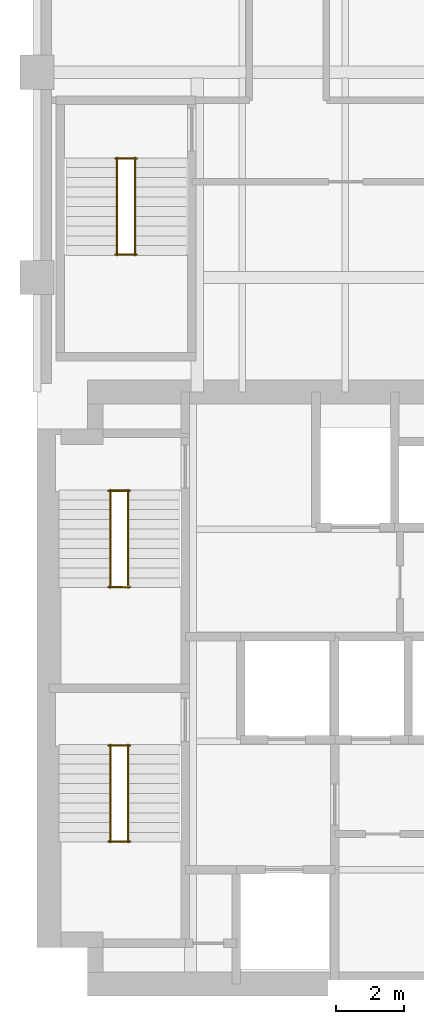
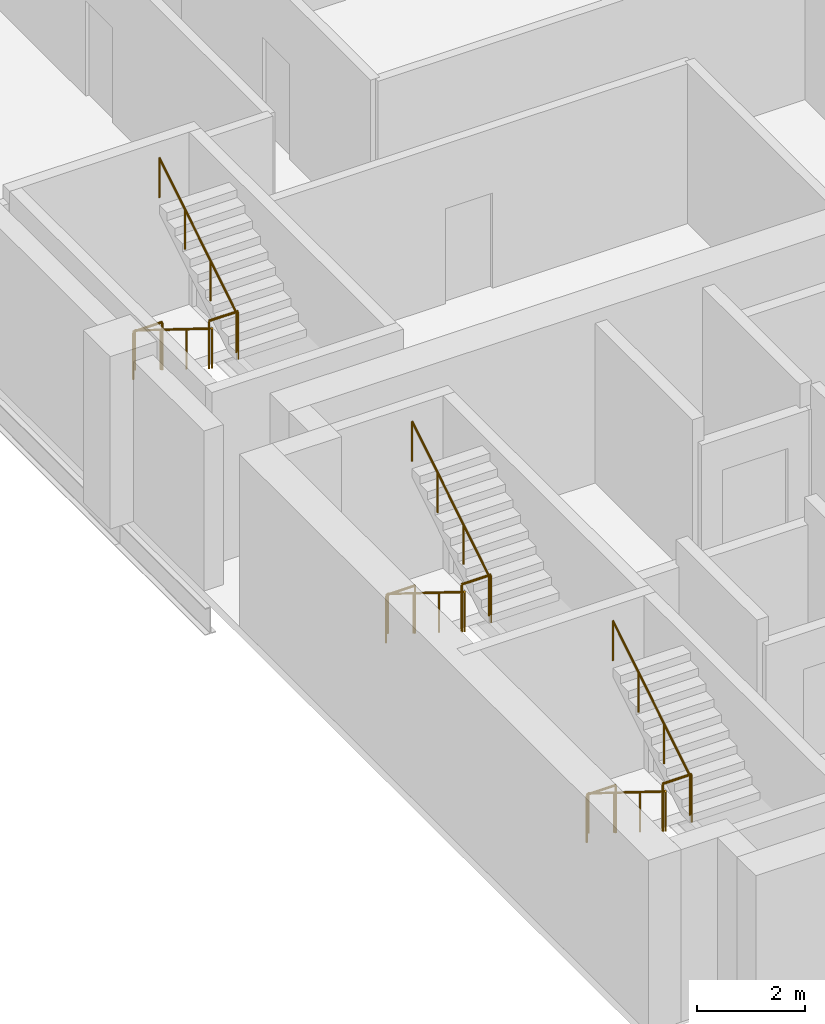
# One storey, part 7 of 7: 12 railings.
"""IFC4 building model written with IfcOpenShell, lengths in metres."""

from ifc_helpers import new_model, si_unit, direction, frame, origin, origin_2d, place, context, subcontext, project, spatial, circle, extrude, material, type_object, element, save


model = new_model("IFC4")

# Units and contexts
model_context = context("Model", 3, precision=1e-05, world=origin(), true_north=direction((0.0, 1.0)))
body_context = subcontext(model_context, "Body", "Model", "MODEL_VIEW")
ifc_project = project(units=[si_unit("LENGTHUNIT", "METRE"), si_unit("AREAUNIT", "SQUARE_METRE"), si_unit("VOLUMEUNIT", "CUBIC_METRE"), si_unit("PLANEANGLEUNIT", "RADIAN"), si_unit("MASSUNIT", "GRAM", prefix="KILO")], contexts=[model_context])

# Site, building, storey
site_placement = place(None, origin())
site = spatial("IfcSite", under=ifc_project, at=site_placement, CompositionType="ELEMENT")
building_placement = place(site_placement, origin())
building = spatial("IfcBuilding", under=site, at=building_placement, Name="Mawjdan Bourse Tower", CompositionType="ELEMENT")
storey_placement = place(building_placement, frame((0.0, 0.0, 151.800048828125)))
storey = spatial("IfcBuildingStorey", under=building, at=storey_placement, Name="L36", CompositionType="ELEMENT", Elevation=151.800048828125)

# Railings
ifc_material_1 = material(Name="Structural Steel S355", Category="steel")
railing_type_1 = type_object("IfcRailingType", Name="RLG-GRD-1100", PredefinedType="GUARDRAIL", material=ifc_material_1)
for number, where, name in (
    (1, (8.090087890625, 7.52001953125, 1.949951171875), "L36 ST1 Landing Guardrail GL-MID"),
    (2, (8.090087890625, 10.330078125, 0.0), "L36 ST1 Landing Guardrail GL-BOT"),
    (3, (8.090087890625, 14.9599609375, 1.949951171875), "L36 ST2 Landing Guardrail GL-MID"),
    (4, (8.090087890625, 17.77001953125, 0.0), "L36 ST2 Landing Guardrail GL-BOT"),
    (5, (8.2900390625, 24.669921875, 1.949951171875), "L36 ST3 Landing Guardrail GL-MID"),
    (6, (8.2900390625, 27.47998046875, 0.0), "L36 ST3 Landing Guardrail GL-BOT"),
):
    element("IfcRailing", number, at=place(storey_placement, frame(where)), inside=storey, type_object=railing_type_1, Name=name, PredefinedType="GUARDRAIL", context=body_context, shape_type="SweptSolid", body=[
        extrude(circle(Radius=0.02490234375, at=origin_2d()), frame((0.0, 0.0, 1.0751953125), z_axis=(1.0, 0.0, 0.0), x_axis=(0.0, 1.0, 0.0)), (0.0, 0.0, 1.0), 0.619873046875),
        extrude(circle(Radius=0.02099609375, at=origin_2d()), origin(), (0.0, 0.0, 1.0), 1.050048828125),
        extrude(circle(Radius=0.02099609375, at=origin_2d()), frame((0.619873046875, 0.0, 0.0)), (0.0, 0.0, 1.0), 1.050048828125),
    ])
ifc_material_2 = material(Name="Brushed Stainless Steel", Category="steel")
railing_type_2 = type_object("IfcRailingType", Name="RLG-HND-920", PredefinedType="HANDRAIL", material=ifc_material_2)
railing_1_placement = place(storey_placement, frame((8.139892578125, 10.35009765625, 0.17724609375)))
element("IfcRailing", 7, at=railing_1_placement, inside=storey, type_object=railing_type_2, Name="L36 ST1 Flight Handrail HR1", PredefinedType="HANDRAIL", context=body_context, shape_type="SweptSolid", body=[
    extrude(circle(Radius=0.0224609375, at=origin_2d()), frame((0.0, 0.0, 0.8974609375), z_axis=(0.0, -0.849148672731, 0.528153890072), x_axis=(1.0, 0.0, 0.0)), (0.0, 0.0, 1.0), 3.3564453125),
    extrude(circle(Radius=0.01904296875, at=origin_2d()), origin(), (0.0, 0.0, 1.0), 0.875),
    extrude(circle(Radius=0.01904296875, at=origin_2d()), frame((0.0, -0.949951171875, 0.5908203125)), (0.0, 0.0, 1.0), 0.875),
    extrude(circle(Radius=0.01904296875, at=origin_2d()), frame((0.0, -1.900146484375, 1.181884765625)), (0.0, 0.0, 1.0), 0.875),
    extrude(circle(Radius=0.01904296875, at=origin_2d()), frame((0.0, -2.85009765625, 1.772705078125)), (0.0, 0.0, 1.0), 0.875),
])
railing_2_placement = place(storey_placement, frame((8.659912109375, 7.5, 2.127197265625)))
element("IfcRailing", 8, at=railing_2_placement, inside=storey, type_object=railing_type_2, Name="L36 ST1 Flight Handrail HR2", PredefinedType="HANDRAIL", context=body_context, shape_type="SweptSolid", body=[
    extrude(circle(Radius=0.0224609375, at=origin_2d()), frame((0.0, 0.0, 0.8974609375), z_axis=(0.0, 0.849148672731, 0.528153890072), x_axis=(-1.0, 0.0, 0.0)), (0.0, 0.0, 1.0), 3.3564453125),
    extrude(circle(Radius=0.01904296875, at=origin_2d()), origin(), (0.0, 0.0, 1.0), 0.875),
    extrude(circle(Radius=0.01904296875, at=origin_2d()), frame((0.0, 0.949951171875, 0.5908203125)), (0.0, 0.0, 1.0), 0.875),
    extrude(circle(Radius=0.01904296875, at=origin_2d()), frame((0.0, 1.900146484375, 1.181884765625)), (0.0, 0.0, 1.0), 0.875),
    extrude(circle(Radius=0.01904296875, at=origin_2d()), frame((0.0, 2.85009765625, 1.772705078125)), (0.0, 0.0, 1.0), 0.875),
])
railing_3_placement = place(storey_placement, frame((8.139892578125, 17.7900390625, 0.17724609375)))
element("IfcRailing", 9, at=railing_3_placement, inside=storey, type_object=railing_type_2, Name="L36 ST2 Flight Handrail HR1", PredefinedType="HANDRAIL", context=body_context, shape_type="SweptSolid", body=[
    extrude(circle(Radius=0.0224609375, at=origin_2d()), frame((0.0, 0.0, 0.8974609375), z_axis=(0.0, -0.849148672731, 0.528153890072), x_axis=(1.0, 0.0, 0.0)), (0.0, 0.0, 1.0), 3.3564453125),
    extrude(circle(Radius=0.01904296875, at=origin_2d()), origin(), (0.0, 0.0, 1.0), 0.875),
    extrude(circle(Radius=0.01904296875, at=origin_2d()), frame((0.0, -0.949951171875, 0.5908203125)), (0.0, 0.0, 1.0), 0.875),
    extrude(circle(Radius=0.01904296875, at=origin_2d()), frame((0.0, -1.900146484375, 1.181884765625)), (0.0, 0.0, 1.0), 0.875),
    extrude(circle(Radius=0.01904296875, at=origin_2d()), frame((0.0, -2.85009765625, 1.772705078125)), (0.0, 0.0, 1.0), 0.875),
])
railing_4_placement = place(storey_placement, frame((8.659912109375, 14.93994140625, 2.127197265625)))
element("IfcRailing", 10, at=railing_4_placement, inside=storey, type_object=railing_type_2, Name="L36 ST2 Flight Handrail HR2", PredefinedType="HANDRAIL", context=body_context, shape_type="SweptSolid", body=[
    extrude(circle(Radius=0.0224609375, at=origin_2d()), frame((0.0, 0.0, 0.8974609375), z_axis=(0.0, 0.849148672731, 0.528153890072), x_axis=(-1.0, 0.0, 0.0)), (0.0, 0.0, 1.0), 3.3564453125),
    extrude(circle(Radius=0.01904296875, at=origin_2d()), origin(), (0.0, 0.0, 1.0), 0.875),
    extrude(circle(Radius=0.01904296875, at=origin_2d()), frame((0.0, 0.949951171875, 0.5908203125)), (0.0, 0.0, 1.0), 0.875),
    extrude(circle(Radius=0.01904296875, at=origin_2d()), frame((0.0, 1.900146484375, 1.181884765625)), (0.0, 0.0, 1.0), 0.875),
    extrude(circle(Radius=0.01904296875, at=origin_2d()), frame((0.0, 2.85009765625, 1.772705078125)), (0.0, 0.0, 1.0), 0.875),
])
railing_5_placement = place(storey_placement, frame((8.340087890625, 27.5, 0.17724609375)))
element("IfcRailing", 11, at=railing_5_placement, inside=storey, type_object=railing_type_2, Name="L36 ST3 Flight Handrail HR1", PredefinedType="HANDRAIL", context=body_context, shape_type="SweptSolid", body=[
    extrude(circle(Radius=0.0224609375, at=origin_2d()), frame((0.0, 0.0, 0.8974609375), z_axis=(0.0, -0.849148672731, 0.528153890072), x_axis=(1.0, 0.0, 0.0)), (0.0, 0.0, 1.0), 3.3564453125),
    extrude(circle(Radius=0.01904296875, at=origin_2d()), origin(), (0.0, 0.0, 1.0), 0.875),
    extrude(circle(Radius=0.01904296875, at=origin_2d()), frame((0.0, -0.949951171875, 0.5908203125)), (0.0, 0.0, 1.0), 0.875),
    extrude(circle(Radius=0.01904296875, at=origin_2d()), frame((0.0, -1.900146484375, 1.181884765625)), (0.0, 0.0, 1.0), 0.875),
    extrude(circle(Radius=0.01904296875, at=origin_2d()), frame((0.0, -2.85009765625, 1.772705078125)), (0.0, 0.0, 1.0), 0.875),
])
railing_6_placement = place(storey_placement, frame((8.860107421875, 24.64990234375, 2.127197265625)))
element("IfcRailing", 12, at=railing_6_placement, inside=storey, type_object=railing_type_2, Name="L36 ST3 Flight Handrail HR2", PredefinedType="HANDRAIL", context=body_context, shape_type="SweptSolid", body=[
    extrude(circle(Radius=0.0224609375, at=origin_2d()), frame((0.0, 0.0, 0.8974609375), z_axis=(0.0, 0.849148672731, 0.528153890072), x_axis=(-1.0, 0.0, 0.0)), (0.0, 0.0, 1.0), 3.3564453125),
    extrude(circle(Radius=0.01904296875, at=origin_2d()), origin(), (0.0, 0.0, 1.0), 0.875),
    extrude(circle(Radius=0.01904296875, at=origin_2d()), frame((0.0, 0.949951171875, 0.5908203125)), (0.0, 0.0, 1.0), 0.875),
    extrude(circle(Radius=0.01904296875, at=origin_2d()), frame((0.0, 1.900146484375, 1.181884765625)), (0.0, 0.0, 1.0), 0.875),
    extrude(circle(Radius=0.01904296875, at=origin_2d()), frame((0.0, 2.85009765625, 1.772705078125)), (0.0, 0.0, 1.0), 0.875),
])

save(model, "model.ifc")
